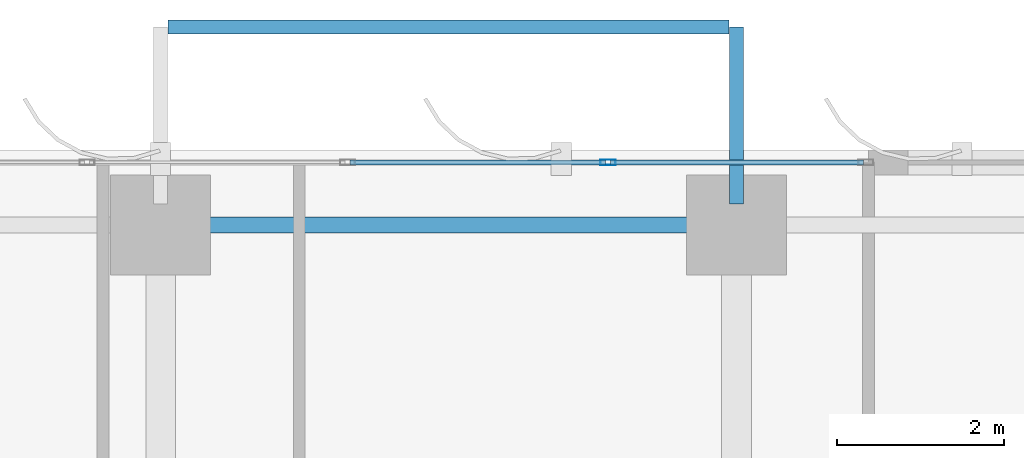
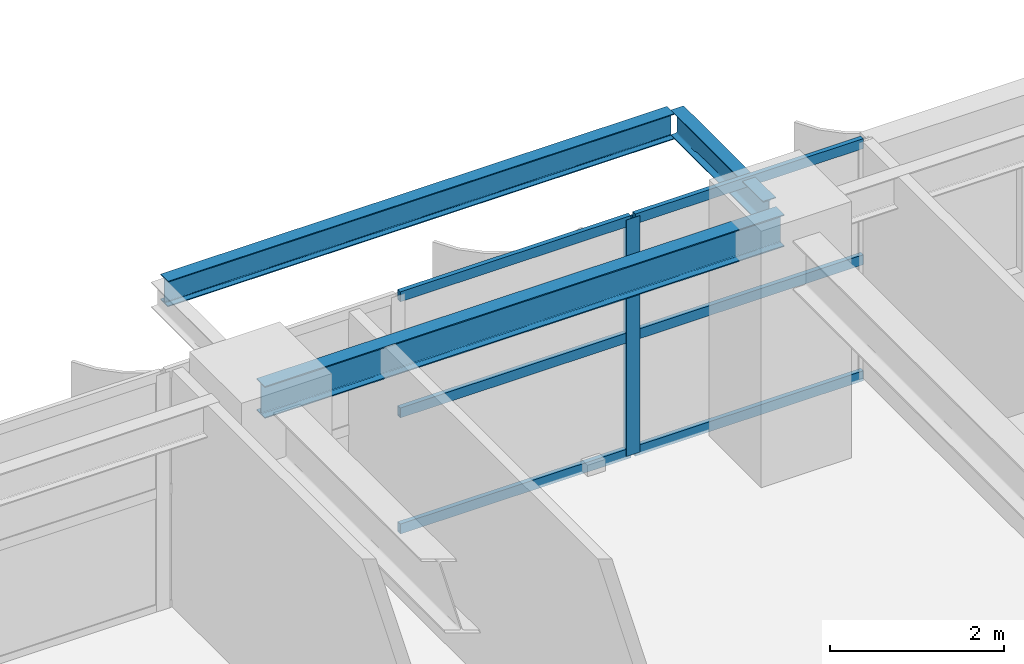
# One storey, part 11 of 26: 7 members, 3 beams, 1 element without a shape of its own.
"""IFC4 building model written with IfcOpenShell, lengths in metres."""

from ifc_helpers import new_model, si_unit, direction, frame, origin, origin_2d, place, context, subcontext, project, spatial, hollow_rectangle, i_section, extrude, source, transform, mapped, material, layer, layer_set, material_profile, profile_set, type_object, element, aggregate, save


model = new_model("IFC4")

# Units and contexts
model_context = context("Model", 3, precision=1e-05, world=origin(), true_north=direction((0.0, 1.0)))
body_context = subcontext(model_context, "Body", "Model", "MODEL_VIEW")
ifc_project = project(units=[si_unit("LENGTHUNIT", "METRE"), si_unit("AREAUNIT", "SQUARE_METRE"), si_unit("VOLUMEUNIT", "CUBIC_METRE"), si_unit("PLANEANGLEUNIT", "RADIAN"), si_unit("MASSUNIT", "GRAM", prefix="KILO")], contexts=[model_context])

# Site, building, storey
site_placement = place(None, origin())
site = spatial("IfcSite", under=ifc_project, at=site_placement, CompositionType="ELEMENT")
building_placement = place(site_placement, origin())
building = spatial("IfcBuilding", under=site, at=building_placement, Name="Khoralis Quay Care Tower", CompositionType="ELEMENT")
storey_placement = place(building_placement, frame((0.0, 0.0, 26.10009765625)))
storey = spatial("IfcBuildingStorey", under=building, at=storey_placement, Name="L06", CompositionType="ELEMENT", Elevation=26.10009765625)

# Beam
ifc_material_1 = material(Name="Steel S355", Category="steel")
ifc_material_profile_1 = material_profile(ifc_material_1, i_section(OverallWidth=0.18994140625, OverallDepth=0.449951171875, WebThickness=0.009521484375, FlangeThickness=0.0146484375, FilletRadius=0.02099609375, at=origin_2d()), Name="Steel S355")
ifc_profile_set_1 = profile_set([ifc_material_profile_1], Name="Steel S355")
beam_type_1 = type_object("IfcBeamType", Name="BM-IPE450", PredefinedType="SPANDREL", material=ifc_profile_set_1)
shared_shape_1 = source(origin(), body_context, "Body", "SweptSolid", [
    extrude(i_section(OverallWidth=0.18994140625, OverallDepth=0.449951171875, WebThickness=0.009521484375, FlangeThickness=0.0146484375, FilletRadius=0.02099609375, at=origin_2d()), origin(), (0.0, 0.0, 1.0), 6.89990234375),
])
beam_1_placement = place(storey_placement, frame((24.0, 47.10009765625, 3.094970703125), z_axis=(1.0, 0.0, 0.0), x_axis=(0.0, 1.0, 0.0)))
element("IfcBeam", 1, at=beam_1_placement, inside=storey, type_object=beam_type_1, Name="BM-TSP-L06-10", PredefinedType="SPANDREL", context=body_context, shape_type="MappedRepresentation", body=[
    mapped(shared_shape_1, transform((0.0, 0.0, 0.0), scale=1.0)),
])

# Curtain wall, members
ifc_material_2 = material(Name="Pale anodised aluminium", Category="aluminium")
ifc_layer = layer(ifc_material_2, 0.179931640625)
ifc_layer_set = layer_set([ifc_layer], Name="Pale anodised aluminium")
curtain_wall_type = type_object("IfcCurtainWallType", Name="CW-SYS-Z1", PredefinedType="NOTDEFINED", material=ifc_layer_set)
curtain_wall_placement = place(storey_placement, origin())
curtain_wall = element("IfcCurtainWall", 2, at=curtain_wall_placement, inside=storey, type_object=curtain_wall_type, Name="L06 Unitised Curtain Wall CW-L06-P1-E10", PredefinedType="NOTDEFINED")
ifc_material_profile_2 = material_profile(ifc_material_2, hollow_rectangle(XDim=0.06494140625, YDim=0.179931640625, WallThickness=0.00390625, at=origin_2d()), Name="Pale anodised aluminium")
ifc_profile_set_2 = profile_set([ifc_material_profile_2], Name="Pale anodised aluminium")
member_type_1 = type_object("IfcMemberType", Name="CW-MUL-180", PredefinedType="MULLION", material=ifc_profile_set_2)
shared_shape_2 = source(origin(), body_context, "Body", "SweptSolid", [
    extrude(hollow_rectangle(XDim=0.06494140625, YDim=0.179931640625, WallThickness=0.00390625, at=origin_2d()), origin(), (0.0, 0.0, 1.0), 3.31982421875),
])
member_1_placement = place(storey_placement, frame((29.360107421875, 47.85009765625, 0.0), z_axis=(0.0, 0.0, 1.0), x_axis=(0.0, -1.0, 0.0)))
member_1 = element("IfcMember", 3, at=member_1_placement, type_object=member_type_1, Name="CW1 mullion 2", PredefinedType="MULLION", context=body_context, shape_type="MappedRepresentation", body=[
    mapped(shared_shape_2, transform((0.0, 0.0, 0.0), scale=1.0)),
])
ifc_material_profile_3 = material_profile(ifc_material_2, hollow_rectangle(XDim=0.06005859375, YDim=0.139892578125, WallThickness=0.00390625, at=origin_2d()), Name="Pale anodised aluminium")
ifc_profile_set_3 = profile_set([ifc_material_profile_3], Name="Pale anodised aluminium")
member_type_2 = type_object("IfcMemberType", Name="CW-TRN-140", PredefinedType="USERDEFINED", material=ifc_profile_set_3)
shared_shape_3 = source(origin(), body_context, "Body", "SweptSolid", [
    extrude(hollow_rectangle(XDim=0.06005859375, YDim=0.139892578125, WallThickness=0.00390625, at=origin_2d()), origin(), (0.0, 0.0, 1.0), 3.030029296875),
])
member_2_placement = place(storey_placement, frame((32.419921875, 47.85009765625, 0.02978515625), z_axis=(-1.0, 0.0, 0.0), x_axis=(0.0, -1.0, 0.0)))
member_2 = element("IfcMember", 4, at=member_2_placement, type_object=member_type_2, Name="CW1 transom 1.1", ObjectType="TRANSOM", PredefinedType="USERDEFINED", context=body_context, shape_type="MappedRepresentation", body=[
    mapped(shared_shape_3, transform((0.0, 0.0, 0.0), scale=1.0)),
])
member_3_placement = place(storey_placement, frame((32.419921875, 47.85009765625, 1.659912109375), z_axis=(-1.0, 0.0, 0.0), x_axis=(0.0, -1.0, 0.0)))
member_3 = element("IfcMember", 5, at=member_3_placement, type_object=member_type_2, Name="CW1 transom 1.2", ObjectType="TRANSOM", PredefinedType="USERDEFINED", context=body_context, shape_type="MappedRepresentation", body=[
    mapped(shared_shape_3, transform((0.0, 0.0, 0.0), scale=1.0)),
])
member_4_placement = place(storey_placement, frame((32.419921875, 47.85009765625, 3.289794921875), z_axis=(-1.0, 0.0, 0.0), x_axis=(0.0, -1.0, 0.0)))
member_4 = element("IfcMember", 6, at=member_4_placement, type_object=member_type_2, Name="CW1 transom 1.3", ObjectType="TRANSOM", PredefinedType="USERDEFINED", context=body_context, shape_type="MappedRepresentation", body=[
    mapped(shared_shape_3, transform((0.0, 0.0, 0.0), scale=1.0)),
])
shared_shape_4 = source(origin(), body_context, "Body", "SweptSolid", [
    extrude(hollow_rectangle(XDim=0.06005859375, YDim=0.139892578125, WallThickness=0.00390625, at=origin_2d()), origin(), (0.0, 0.0, 1.0), 3.06005859375),
])
member_5_placement = place(storey_placement, frame((29.330078125, 47.85009765625, 0.02978515625), z_axis=(-1.0, 0.0, 0.0), x_axis=(0.0, -1.0, 0.0)))
member_5 = element("IfcMember", 7, at=member_5_placement, type_object=member_type_2, Name="CW1 transom 2.1", ObjectType="TRANSOM", PredefinedType="USERDEFINED", context=body_context, shape_type="MappedRepresentation", body=[
    mapped(shared_shape_4, transform((0.0, 0.0, 0.0), scale=1.0)),
])
member_6_placement = place(storey_placement, frame((29.330078125, 47.85009765625, 1.659912109375), z_axis=(-1.0, 0.0, 0.0), x_axis=(0.0, -1.0, 0.0)))
member_6 = element("IfcMember", 8, at=member_6_placement, type_object=member_type_2, Name="CW1 transom 2.2", ObjectType="TRANSOM", PredefinedType="USERDEFINED", context=body_context, shape_type="MappedRepresentation", body=[
    mapped(shared_shape_4, transform((0.0, 0.0, 0.0), scale=1.0)),
])
member_7_placement = place(storey_placement, frame((29.330078125, 47.85009765625, 3.289794921875), z_axis=(-1.0, 0.0, 0.0), x_axis=(0.0, -1.0, 0.0)))
member_7 = element("IfcMember", 9, at=member_7_placement, type_object=member_type_2, Name="CW1 transom 2.3", ObjectType="TRANSOM", PredefinedType="USERDEFINED", context=body_context, shape_type="MappedRepresentation", body=[
    mapped(shared_shape_4, transform((0.0, 0.0, 0.0), scale=1.0)),
])
aggregate(curtain_wall, [member_1, member_2, member_3, member_4, member_5, member_6, member_7])

# Beams
ifc_material_profile_4 = material_profile(ifc_material_1, i_section(OverallWidth=0.169921875, OverallDepth=0.360107421875, WebThickness=0.008056640625, FlangeThickness=0.0126953125, FilletRadius=0.01806640625, at=origin_2d()), Name="Steel S355")
ifc_profile_set_4 = profile_set([ifc_material_profile_4], Name="Steel S355")
beam_type_2 = type_object("IfcBeamType", Name="BM-IPE360", PredefinedType="SPANDREL", material=ifc_profile_set_4)
shared_shape_5 = source(origin(), body_context, "Body", "SweptSolid", [
    extrude(i_section(OverallWidth=0.169921875, OverallDepth=0.360107421875, WebThickness=0.008056640625, FlangeThickness=0.0126953125, FilletRadius=0.01806640625, at=origin_2d()), origin(), (0.0, 0.0, 1.0), 2.119873046875),
])
beam_2_placement = place(storey_placement, frame((30.89990234375, 47.35009765625, 3.143798828125), z_axis=(0.0, 1.0, 0.0), x_axis=(-1.0, 0.0, 0.0)))
element("IfcBeam", 10, at=beam_2_placement, inside=storey, type_object=beam_type_2, Name="L07 Balcony Cantilever Outrigger Beam 2", PredefinedType="SPANDREL", context=body_context, shape_type="MappedRepresentation", body=[
    mapped(shared_shape_5, transform((0.0, 0.0, 0.0), scale=1.0)),
])
shared_shape_6 = source(origin(), body_context, "Body", "SweptSolid", [
    extrude(i_section(OverallWidth=0.169921875, OverallDepth=0.360107421875, WebThickness=0.008056640625, FlangeThickness=0.0126953125, FilletRadius=0.01806640625, at=origin_2d()), origin(), (0.0, 0.0, 1.0), 6.72412109375),
])
beam_3_placement = place(storey_placement, frame((24.087890625, 49.469970703125, 3.143798828125), z_axis=(1.0, 0.0, 0.0), x_axis=(0.0, 1.0, 0.0)))
element("IfcBeam", 11, at=beam_3_placement, inside=storey, type_object=beam_type_2, Name="L07 Balcony Edge Spandrel Beam P1E10", PredefinedType="SPANDREL", context=body_context, shape_type="MappedRepresentation", body=[
    mapped(shared_shape_6, transform((0.0, 0.0, 0.0), scale=1.0)),
])

save(model, "model.ifc")
